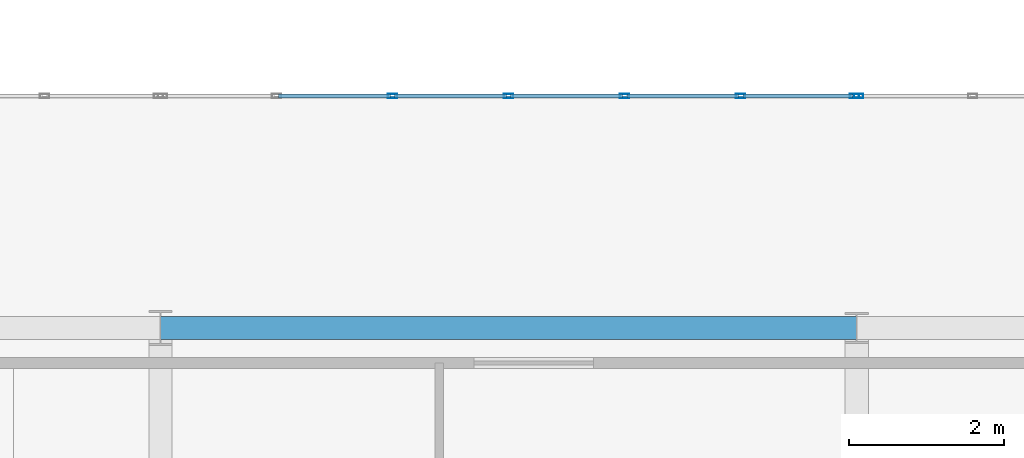
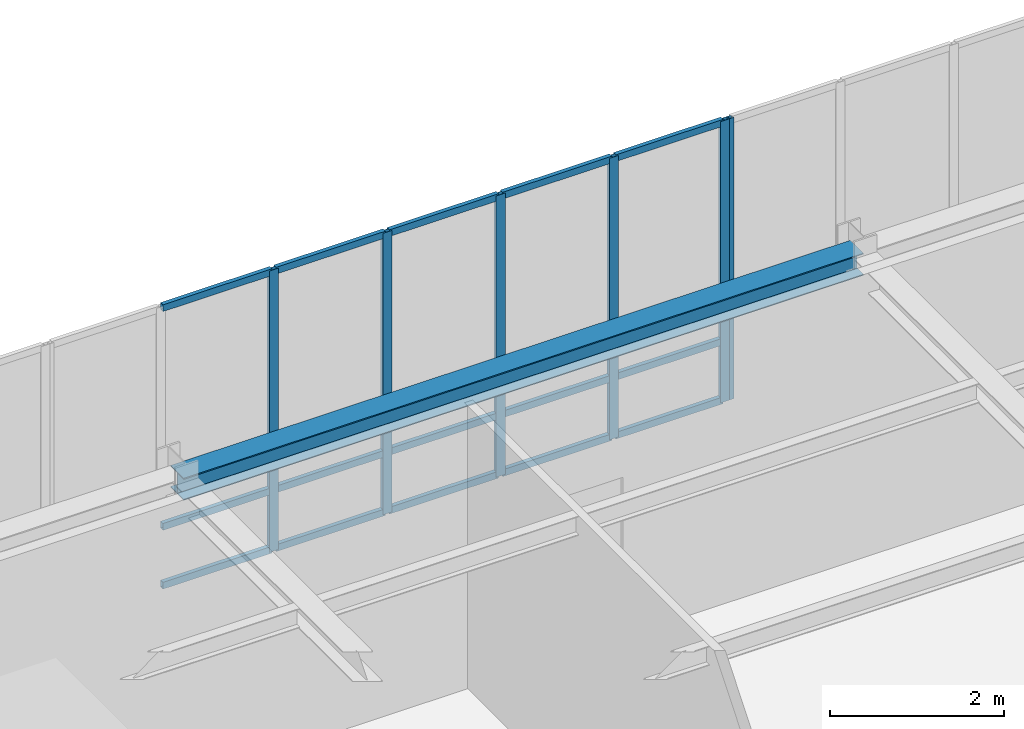
# One storey, part 25 of 130: 21 members, 1 beam, 2 elements without a shape of their own.
"""IFC4 building model written with IfcOpenShell, lengths in metres."""

import ifcopenshell
import ifcopenshell.guid

model = None  # the IFC model being written
_history = None  # IfcOwnerHistory: only IFC2X3 demands one
_inside = {}  # id of a spatial element -> (the spatial element, [elements in it])
_under = {}  # id of a project, library or spatial element -> (it, [spatial elements below it])
_declared = {}  # id of a project -> (the project, [libraries it declares])
_typed = {}  # id of a type object -> (the type object, [elements of that type])
_made_of = {}  # id of a material, layer set ... -> (it, [elements and type objects made of it])


def new_model(schema):
    """Start an empty IFC model of exactly this schema.

    Asked for "IFC4X3", IfcOpenShell would pick the latest addendum, in which some entities
    have other attributes; the version numbers below select the first issue.
    IFC2X3 requires an IfcOwnerHistory on every rooted entity: one is made here for all.
    """
    global model, _history
    if schema == "IFC4X3":
        model = ifcopenshell.file(schema_version=(4, 3, 0, 0))
    else:
        model = ifcopenshell.file(schema=schema)
    _inside.clear()
    _under.clear()
    _declared.clear()
    _typed.clear()
    _made_of.clear()
    _history = None
    if model.schema == "IFC2X3":
        org = make("IfcOrganization", Name="unknown")
        user = make(
            "IfcPersonAndOrganization",
            ThePerson=make("IfcPerson", FamilyName="unknown"),
            TheOrganization=org,
        )
        app = make(
            "IfcApplication",
            ApplicationDeveloper=org,
            Version="unknown",
            ApplicationFullName="unknown",
            ApplicationIdentifier="unknown",
        )
        _history = make(
            "IfcOwnerHistory",
            OwningUser=user,
            OwningApplication=app,
            ChangeAction="ADDED",
            CreationDate=0,
        )
    return model


def make(cls, **values):
    """One entity of the class cls with the attributes given. An attribute that is None is left unset."""
    return model.create_entity(
        cls, **{name: value for name, value in values.items() if value is not None}
    )


def rooted(cls, **values):
    """An entity with a GlobalId (a new one), such as an element, a storey or a relation."""
    return make(cls, GlobalId=ifcopenshell.guid.new(), OwnerHistory=_history, **values)


def si_unit(unit_type, name, prefix=None):
    """IfcSIUnit, for example si_unit("LENGTHUNIT", "METRE", prefix="MILLI")."""
    return make("IfcSIUnit", UnitType=unit_type, Prefix=prefix, Name=name)


def assignment(units):
    """IfcUnitAssignment: the units of a project."""
    return None if units is None else make("IfcUnitAssignment", Units=units)


def point(xyz):
    """IfcCartesianPoint."""
    return None if xyz is None else make("IfcCartesianPoint", Coordinates=xyz)


def direction(xyz):
    """IfcDirection."""
    return None if xyz is None else make("IfcDirection", DirectionRatios=xyz)


def frame(location, z_axis=None, x_axis=None):
    """IfcAxis2Placement3D, a coordinate frame: its origin and axes. An axis left out is left unset."""
    return make(
        "IfcAxis2Placement3D",
        Location=point(location),
        Axis=direction(z_axis),
        RefDirection=direction(x_axis),
    )


def frame_2d(location, x_axis=None):
    """IfcAxis2Placement2D, a coordinate frame in the plane: its origin and x axis."""
    return make(
        "IfcAxis2Placement2D", Location=point(location), RefDirection=direction(x_axis)
    )


def origin():
    """The frame at (0, 0, 0) with its axes left unset."""
    return frame((0.0, 0.0, 0.0))


def origin_2d():
    """The frame at (0, 0) in the plane with its x axis left unset."""
    return frame_2d((0.0, 0.0))


def place(relative_to, where):
    """IfcLocalPlacement: puts the frame where relative to a parent placement (None: the world)."""
    return make(
        "IfcLocalPlacement", PlacementRelTo=relative_to, RelativePlacement=where
    )


def context(
    kind, dimensions, precision=None, world=None, true_north=None, identifier=None
):
    """IfcGeometricRepresentationContext, for example the 3D "Model" context."""
    return make(
        "IfcGeometricRepresentationContext",
        ContextIdentifier=identifier,
        ContextType=kind,
        CoordinateSpaceDimension=dimensions,
        Precision=precision,
        WorldCoordinateSystem=world,
        TrueNorth=true_north,
    )


def subcontext(parent, identifier, kind, view, scale=None):
    """IfcGeometricRepresentationSubContext, for example "Body" below "Model"."""
    return make(
        "IfcGeometricRepresentationSubContext",
        ContextIdentifier=identifier,
        ContextType=kind,
        ParentContext=parent,
        TargetScale=scale,
        TargetView=view,
    )


def project(units=None, contexts=None):
    """IfcProject with its units and contexts."""
    return rooted(
        "IfcProject",
        Name="project",
        RepresentationContexts=contexts,
        UnitsInContext=assignment(units),
    )


def spatial(cls, under=None, at=None, **own):
    """A site, building, storey or space (cls), placed at a placement, below another one or the project."""
    s = rooted(cls, ObjectPlacement=at, **own)
    if under is not None:
        _under.setdefault(under.id(), (under, []))[1].append(s)
    return s


def profile(cls, at=None, kind="AREA", **sizes):
    """A parametric profile (cls). Its sizes go by their IFC names, for example OverallWidth=200.0."""
    return make(cls, ProfileType=kind, Position=at, **sizes)


def hollow_rectangle(**sizes):
    """IfcRectangleHollowProfileDef."""
    return profile("IfcRectangleHollowProfileDef", **sizes)


def i_section(**sizes):
    """IfcIShapeProfileDef."""
    return profile("IfcIShapeProfileDef", **sizes)


def extrude(swept, where, along, depth):
    """IfcExtrudedAreaSolid: the profile swept, set in the frame where, extruded along a direction by depth."""
    return make(
        "IfcExtrudedAreaSolid",
        SweptArea=swept,
        Position=where,
        ExtrudedDirection=direction(along),
        Depth=depth,
    )


def shape(context_of_items, identifier, shape_type, items):
    """IfcShapeRepresentation: the items that make up one representation, for example the "Body"."""
    return make(
        "IfcShapeRepresentation",
        ContextOfItems=context_of_items,
        RepresentationIdentifier=identifier,
        RepresentationType=shape_type,
        Items=items,
    )


def material(Name=None, Category=None):
    """IfcMaterial."""
    return make("IfcMaterial", Name=Name, Category=Category)


def material_profile(
    of_material, cross_section, Name=None, Category=None, Priority=None
):
    """IfcMaterialProfile: a cross section and its material."""
    return make(
        "IfcMaterialProfile",
        Name=Name,
        Material=of_material,
        Profile=cross_section,
        Priority=Priority,
        Category=Category,
    )


def profile_set(profiles, Name=None, composite=None):
    """IfcMaterialProfileSet."""
    return make(
        "IfcMaterialProfileSet",
        Name=Name,
        MaterialProfiles=profiles,
        CompositeProfile=composite,
    )


def made_of(thing, what):
    """Note that an element or type object is made of a material, layer set ...; save() writes the relation."""
    if what is not None:
        _made_of.setdefault(what.id(), (what, []))[1].append(thing)
    return thing


def type_object(cls, material=None, **own):
    """A type object (cls), such as IfcWallType, which elements share."""
    return made_of(rooted(cls, **own), material)


def element(
    cls,
    number,
    at=None,
    inside=None,
    cuts=None,
    type_object=None,
    material=None,
    context=None,
    identifier="Body",
    shape_type=None,
    held_by="IfcProductDefinitionShape",
    body=None,
    shapes=None,
    **own,
):
    """One element of the class cls, such as IfcWall. Its Tag is "e" and its number.

    at: its placement. inside: the storey or other place that contains it. cuts: it is an
    opening in that element (IfcRelVoidsElement). A single representation is given by context,
    identifier, shape_type and body (its items); several are given by shapes. held_by: the class
    of the entity that holds the representations. save() writes the other relations.
    """
    e = rooted(cls, Tag="e%d" % number, ObjectPlacement=at, **own)
    if body is not None:
        shapes = [shape(context, identifier, shape_type, body)]
    if shapes is not None:
        e.Representation = make(held_by, Representations=shapes)
    if inside is not None:
        _inside.setdefault(inside.id(), (inside, []))[1].append(e)
    if cuts is not None:
        rooted(
            "IfcRelVoidsElement", RelatingBuildingElement=cuts, RelatedOpeningElement=e
        )
    if type_object is not None:
        _typed.setdefault(type_object.id(), (type_object, []))[1].append(e)
    return made_of(e, material)


def aggregate(whole, parts):
    """IfcRelAggregates: a whole, such as a stair, and the parts it consists of."""
    return rooted("IfcRelAggregates", RelatingObject=whole, RelatedObjects=parts)


def save(model, path):
    """Write the relations noted so far, then the file.

    IfcRelAggregates (storeys below a building ...), IfcRelContainedInSpatialStructure (elements
    in a storey), IfcRelDefinesByType, IfcRelAssociatesMaterial and IfcRelDeclares: one each for
    every whole, place, type object, material and project.
    """
    for whole, parts in _under.values():
        aggregate(whole, parts)
    for where, things in _inside.values():
        rooted(
            "IfcRelContainedInSpatialStructure",
            RelatedElements=things,
            RelatingStructure=where,
        )
    for kind, things in _typed.values():
        rooted("IfcRelDefinesByType", RelatedObjects=things, RelatingType=kind)
    for what, things in _made_of.values():
        rooted("IfcRelAssociatesMaterial", RelatedObjects=things, RelatingMaterial=what)
    for by, libraries in _declared.values():
        rooted("IfcRelDeclares", RelatingContext=by, RelatedDefinitions=libraries)
    model.write(path)


model = new_model("IFC4")

# Units and contexts
model_context = context("Model", 3, precision=1e-05, world=origin(), true_north=direction((0.0, 1.0)))
body_context = subcontext(model_context, "Body", "Model", "MODEL_VIEW")
ifc_project = project(units=[si_unit("LENGTHUNIT", "METRE"), si_unit("AREAUNIT", "SQUARE_METRE"), si_unit("VOLUMEUNIT", "CUBIC_METRE"), si_unit("PLANEANGLEUNIT", "RADIAN"), si_unit("MASSUNIT", "GRAM", prefix="KILO")], contexts=[model_context])

# Site, building, storey
site_placement = place(None, origin())
site = spatial("IfcSite", under=ifc_project, at=site_placement, CompositionType="ELEMENT")
building_placement = place(site_placement, origin())
building = spatial("IfcBuilding", under=site, at=building_placement, Name="Lykobir Media Centre", CompositionType="ELEMENT")
storey_placement = place(building_placement, frame((0.0, 0.0, 19.199951171875)))
storey = spatial("IfcBuildingStorey", under=building, at=storey_placement, Name="L04", CompositionType="ELEMENT", Elevation=19.199951171875)

# Curtain wall, members
ifc_material_1 = material(Name="Anodized Aluminium AW-6060", Category="aluminium")
curtain_wall_type = type_object("IfcCurtainWallType", Name="CW-COURT-B", PredefinedType="NOTDEFINED", material=ifc_material_1)
curtain_wall_1_placement = place(storey_placement, origin())
curtain_wall_1 = element("IfcCurtainWall", 1, at=curtain_wall_1_placement, inside=storey, type_object=curtain_wall_type, Name="Curtain wall CW2-L04-0152", PredefinedType="NOTDEFINED")
ifc_material_profile_1 = material_profile(ifc_material_1, hollow_rectangle(XDim=0.054931640625, YDim=0.1201171875, WallThickness=0.003173828125, at=origin_2d()), Name="ALU MULLION 55x120")
ifc_profile_set_1 = profile_set([ifc_material_profile_1], Name="Anodized Aluminium AW-6060")
member_type_1 = type_object("IfcMemberType", Name="CWM-120", PredefinedType="MULLION", material=ifc_profile_set_1)
member_1_placement = place(storey_placement, frame((57.0, 21.0, 0.0), z_axis=(0.0, 0.0, 1.0), x_axis=(0.0, 1.0, 0.0)))
member_1 = element("IfcMember", 2, at=member_1_placement, type_object=member_type_1, Name="CW2-L04-0152 mullion 3", PredefinedType="MULLION", context=body_context, shape_type="SweptSolid", body=[
    extrude(hollow_rectangle(XDim=0.054931640625, YDim=0.1201171875, WallThickness=0.003173828125, at=origin_2d()), origin(), (0.0, 0.0, 1.0), 3.93994140625),
])
member_2_placement = place(storey_placement, frame((58.5, 21.0, 0.0), z_axis=(0.0, 0.0, 1.0), x_axis=(0.0, 1.0, 0.0)))
member_2 = element("IfcMember", 3, at=member_2_placement, type_object=member_type_1, Name="CW2-L04-0152 mullion 4", PredefinedType="MULLION", context=body_context, shape_type="SweptSolid", body=[
    extrude(hollow_rectangle(XDim=0.054931640625, YDim=0.1201171875, WallThickness=0.003173828125, at=origin_2d()), origin(), (0.0, 0.0, 1.0), 3.93994140625),
])
member_3_placement = place(storey_placement, frame((60.0, 21.0, 0.0), z_axis=(0.0, 0.0, 1.0), x_axis=(0.0, 1.0, 0.0)))
member_3 = element("IfcMember", 4, at=member_3_placement, type_object=member_type_1, Name="CW2-L04-0152 mullion 5", PredefinedType="MULLION", context=body_context, shape_type="SweptSolid", body=[
    extrude(hollow_rectangle(XDim=0.054931640625, YDim=0.1201171875, WallThickness=0.003173828125, at=origin_2d()), origin(), (0.0, 0.0, 1.0), 3.93994140625),
])
member_4_placement = place(storey_placement, frame((61.5, 21.0, 0.0), z_axis=(0.0, 0.0, 1.0), x_axis=(0.0, 1.0, 0.0)))
member_4 = element("IfcMember", 5, at=member_4_placement, type_object=member_type_1, Name="CW2-L04-0152 mullion 6", PredefinedType="MULLION", context=body_context, shape_type="SweptSolid", body=[
    extrude(hollow_rectangle(XDim=0.054931640625, YDim=0.1201171875, WallThickness=0.003173828125, at=origin_2d()), origin(), (0.0, 0.0, 1.0), 3.93994140625),
])
member_5_placement = place(storey_placement, frame((62.972412109375, 21.0, 0.0), z_axis=(0.0, 0.0, 1.0), x_axis=(0.0, 1.0, 0.0)))
member_5 = element("IfcMember", 6, at=member_5_placement, type_object=member_type_1, Name="CW2-L04-0152 mullion 7", PredefinedType="MULLION", context=body_context, shape_type="SweptSolid", body=[
    extrude(hollow_rectangle(XDim=0.054931640625, YDim=0.1201171875, WallThickness=0.003173828125, at=origin_2d()), origin(), (0.0, 0.0, 1.0), 3.93994140625),
])

# Curtain wall, member
curtain_wall_2_placement = place(storey_placement, origin())
curtain_wall_2 = element("IfcCurtainWall", 7, at=curtain_wall_2_placement, inside=storey, type_object=curtain_wall_type, Name="Curtain wall CW2-L04-0153", PredefinedType="NOTDEFINED")
member_6_placement = place(storey_placement, frame((63.027587890625, 21.0, 0.0), z_axis=(0.0, 0.0, 1.0), x_axis=(0.0, 1.0, 0.0)))
member_6 = element("IfcMember", 8, at=member_6_placement, type_object=member_type_1, Name="CW2-L04-0153 mullion 1", PredefinedType="MULLION", context=body_context, shape_type="SweptSolid", body=[
    extrude(hollow_rectangle(XDim=0.054931640625, YDim=0.1201171875, WallThickness=0.003173828125, at=origin_2d()), origin(), (0.0, 0.0, 1.0), 3.93994140625),
])
aggregate(curtain_wall_2, [member_6])

# Member
ifc_material_profile_2 = material_profile(ifc_material_1, hollow_rectangle(XDim=0.054931640625, YDim=0.094970703125, WallThickness=0.0029296875, at=origin_2d()), Name="ALU TRANSOM 55x95")
ifc_profile_set_2 = profile_set([ifc_material_profile_2], Name="Anodized Aluminium AW-6060")
member_type_2 = type_object("IfcMemberType", Name="CWT-095", PredefinedType="USERDEFINED", material=ifc_profile_set_2)
member_7_placement = place(storey_placement, frame((55.527587890625, 21.0, 0.027587890625), z_axis=(1.0, 0.0, 0.0), x_axis=(0.0, 1.0, 0.0)))
member_7 = element("IfcMember", 9, at=member_7_placement, type_object=member_type_2, Name="CW2-L04-0152 transom 2.1", ObjectType="TRANSOM", PredefinedType="USERDEFINED", context=body_context, shape_type="SweptSolid", body=[
    extrude(hollow_rectangle(XDim=0.054931640625, YDim=0.094970703125, WallThickness=0.0029296875, at=origin_2d()), origin(), (0.0, 0.0, 1.0), 1.44482421875),
])

member_8_placement = place(storey_placement, frame((55.527587890625, 21.0, 0.85009765625), z_axis=(1.0, 0.0, 0.0), x_axis=(0.0, 1.0, 0.0)))
member_8 = element("IfcMember", 10, at=member_8_placement, type_object=member_type_2, Name="CW2-L04-0152 transom 2.2", ObjectType="TRANSOM", PredefinedType="USERDEFINED", context=body_context, shape_type="SweptSolid", body=[
    extrude(hollow_rectangle(XDim=0.054931640625, YDim=0.094970703125, WallThickness=0.0029296875, at=origin_2d()), origin(), (0.0, 0.0, 1.0), 1.44482421875),
])

member_9_placement = place(storey_placement, frame((55.527587890625, 21.0, 3.91259765625), z_axis=(1.0, 0.0, 0.0), x_axis=(0.0, 1.0, 0.0)))
member_9 = element("IfcMember", 11, at=member_9_placement, type_object=member_type_2, Name="CW2-L04-0152 transom 2.3", ObjectType="TRANSOM", PredefinedType="USERDEFINED", context=body_context, shape_type="SweptSolid", body=[
    extrude(hollow_rectangle(XDim=0.054931640625, YDim=0.094970703125, WallThickness=0.0029296875, at=origin_2d()), origin(), (0.0, 0.0, 1.0), 1.44482421875),
])

member_10_placement = place(storey_placement, frame((57.027587890625, 21.0, 0.027587890625), z_axis=(1.0, 0.0, 0.0), x_axis=(0.0, 1.0, 0.0)))
member_10 = element("IfcMember", 12, at=member_10_placement, type_object=member_type_2, Name="CW2-L04-0152 transom 3.1", ObjectType="TRANSOM", PredefinedType="USERDEFINED", context=body_context, shape_type="SweptSolid", body=[
    extrude(hollow_rectangle(XDim=0.054931640625, YDim=0.094970703125, WallThickness=0.0029296875, at=origin_2d()), origin(), (0.0, 0.0, 1.0), 1.44482421875),
])

member_11_placement = place(storey_placement, frame((57.027587890625, 21.0, 0.85009765625), z_axis=(1.0, 0.0, 0.0), x_axis=(0.0, 1.0, 0.0)))
member_11 = element("IfcMember", 13, at=member_11_placement, type_object=member_type_2, Name="CW2-L04-0152 transom 3.2", ObjectType="TRANSOM", PredefinedType="USERDEFINED", context=body_context, shape_type="SweptSolid", body=[
    extrude(hollow_rectangle(XDim=0.054931640625, YDim=0.094970703125, WallThickness=0.0029296875, at=origin_2d()), origin(), (0.0, 0.0, 1.0), 1.44482421875),
])

member_12_placement = place(storey_placement, frame((57.027587890625, 21.0, 3.91259765625), z_axis=(1.0, 0.0, 0.0), x_axis=(0.0, 1.0, 0.0)))
member_12 = element("IfcMember", 14, at=member_12_placement, type_object=member_type_2, Name="CW2-L04-0152 transom 3.3", ObjectType="TRANSOM", PredefinedType="USERDEFINED", context=body_context, shape_type="SweptSolid", body=[
    extrude(hollow_rectangle(XDim=0.054931640625, YDim=0.094970703125, WallThickness=0.0029296875, at=origin_2d()), origin(), (0.0, 0.0, 1.0), 1.44482421875),
])

member_13_placement = place(storey_placement, frame((58.527587890625, 21.0, 0.027587890625), z_axis=(1.0, 0.0, 0.0), x_axis=(0.0, 1.0, 0.0)))
member_13 = element("IfcMember", 15, at=member_13_placement, type_object=member_type_2, Name="CW2-L04-0152 transom 4.1", ObjectType="TRANSOM", PredefinedType="USERDEFINED", context=body_context, shape_type="SweptSolid", body=[
    extrude(hollow_rectangle(XDim=0.054931640625, YDim=0.094970703125, WallThickness=0.0029296875, at=origin_2d()), origin(), (0.0, 0.0, 1.0), 1.44482421875),
])

member_14_placement = place(storey_placement, frame((58.527587890625, 21.0, 0.85009765625), z_axis=(1.0, 0.0, 0.0), x_axis=(0.0, 1.0, 0.0)))
member_14 = element("IfcMember", 16, at=member_14_placement, type_object=member_type_2, Name="CW2-L04-0152 transom 4.2", ObjectType="TRANSOM", PredefinedType="USERDEFINED", context=body_context, shape_type="SweptSolid", body=[
    extrude(hollow_rectangle(XDim=0.054931640625, YDim=0.094970703125, WallThickness=0.0029296875, at=origin_2d()), origin(), (0.0, 0.0, 1.0), 1.44482421875),
])

member_15_placement = place(storey_placement, frame((58.527587890625, 21.0, 3.91259765625), z_axis=(1.0, 0.0, 0.0), x_axis=(0.0, 1.0, 0.0)))
member_15 = element("IfcMember", 17, at=member_15_placement, type_object=member_type_2, Name="CW2-L04-0152 transom 4.3", ObjectType="TRANSOM", PredefinedType="USERDEFINED", context=body_context, shape_type="SweptSolid", body=[
    extrude(hollow_rectangle(XDim=0.054931640625, YDim=0.094970703125, WallThickness=0.0029296875, at=origin_2d()), origin(), (0.0, 0.0, 1.0), 1.44482421875),
])

member_16_placement = place(storey_placement, frame((60.027587890625, 21.0, 0.027587890625), z_axis=(1.0, 0.0, 0.0), x_axis=(0.0, 1.0, 0.0)))
member_16 = element("IfcMember", 18, at=member_16_placement, type_object=member_type_2, Name="CW2-L04-0152 transom 5.1", ObjectType="TRANSOM", PredefinedType="USERDEFINED", context=body_context, shape_type="SweptSolid", body=[
    extrude(hollow_rectangle(XDim=0.054931640625, YDim=0.094970703125, WallThickness=0.0029296875, at=origin_2d()), origin(), (0.0, 0.0, 1.0), 1.44482421875),
])

member_17_placement = place(storey_placement, frame((60.027587890625, 21.0, 0.85009765625), z_axis=(1.0, 0.0, 0.0), x_axis=(0.0, 1.0, 0.0)))
member_17 = element("IfcMember", 19, at=member_17_placement, type_object=member_type_2, Name="CW2-L04-0152 transom 5.2", ObjectType="TRANSOM", PredefinedType="USERDEFINED", context=body_context, shape_type="SweptSolid", body=[
    extrude(hollow_rectangle(XDim=0.054931640625, YDim=0.094970703125, WallThickness=0.0029296875, at=origin_2d()), origin(), (0.0, 0.0, 1.0), 1.44482421875),
])

member_18_placement = place(storey_placement, frame((60.027587890625, 21.0, 3.91259765625), z_axis=(1.0, 0.0, 0.0), x_axis=(0.0, 1.0, 0.0)))
member_18 = element("IfcMember", 20, at=member_18_placement, type_object=member_type_2, Name="CW2-L04-0152 transom 5.3", ObjectType="TRANSOM", PredefinedType="USERDEFINED", context=body_context, shape_type="SweptSolid", body=[
    extrude(hollow_rectangle(XDim=0.054931640625, YDim=0.094970703125, WallThickness=0.0029296875, at=origin_2d()), origin(), (0.0, 0.0, 1.0), 1.44482421875),
])

member_19_placement = place(storey_placement, frame((61.527587890625, 21.0, 0.027587890625), z_axis=(1.0, 0.0, 0.0), x_axis=(0.0, 1.0, 0.0)))
member_19 = element("IfcMember", 21, at=member_19_placement, type_object=member_type_2, Name="CW2-L04-0152 transom 6.1", ObjectType="TRANSOM", PredefinedType="USERDEFINED", context=body_context, shape_type="SweptSolid", body=[
    extrude(hollow_rectangle(XDim=0.054931640625, YDim=0.094970703125, WallThickness=0.0029296875, at=origin_2d()), origin(), (0.0, 0.0, 1.0), 1.41748046875),
])

member_20_placement = place(storey_placement, frame((61.527587890625, 21.0, 0.85009765625), z_axis=(1.0, 0.0, 0.0), x_axis=(0.0, 1.0, 0.0)))
member_20 = element("IfcMember", 22, at=member_20_placement, type_object=member_type_2, Name="CW2-L04-0152 transom 6.2", ObjectType="TRANSOM", PredefinedType="USERDEFINED", context=body_context, shape_type="SweptSolid", body=[
    extrude(hollow_rectangle(XDim=0.054931640625, YDim=0.094970703125, WallThickness=0.0029296875, at=origin_2d()), origin(), (0.0, 0.0, 1.0), 1.41748046875),
])

member_21_placement = place(storey_placement, frame((61.527587890625, 21.0, 3.91259765625), z_axis=(1.0, 0.0, 0.0), x_axis=(0.0, 1.0, 0.0)))
member_21 = element("IfcMember", 23, at=member_21_placement, type_object=member_type_2, Name="CW2-L04-0152 transom 6.3", ObjectType="TRANSOM", PredefinedType="USERDEFINED", context=body_context, shape_type="SweptSolid", body=[
    extrude(hollow_rectangle(XDim=0.054931640625, YDim=0.094970703125, WallThickness=0.0029296875, at=origin_2d()), origin(), (0.0, 0.0, 1.0), 1.41748046875),
])

aggregate(curtain_wall_1, [member_1, member_2, member_3, member_4, member_5, member_7, member_8, member_9, member_10, member_11, member_12, member_13, member_14, member_15, member_16, member_17, member_18, member_19, member_20, member_21])

# Beam
ifc_material_2 = material(Name="Steel S355", Category="steel")
ifc_material_profile_3 = material_profile(ifc_material_2, i_section(OverallWidth=0.300048828125, OverallDepth=0.31005859375, WebThickness=0.009033203125, FlangeThickness=0.015380859375, at=origin_2d()), Name="HEA 320")
ifc_profile_set_3 = profile_set([ifc_material_profile_3], Name="Steel S355")
beam_type = type_object("IfcBeamType", Name="SP-HEA320", PredefinedType="SPANDREL", material=ifc_profile_set_3)
beam_placement = place(storey_placement, frame((54.0, 18.0, 3.804931640625), z_axis=(1.0, 0.0, 0.0), x_axis=(0.0, 1.0, 0.0)))
element("IfcBeam", 24, at=beam_placement, inside=storey, type_object=beam_type, Name="Beam BM-L04-0540-0180-0630-0180-2300", PredefinedType="SPANDREL", context=body_context, shape_type="SweptSolid", body=[
    extrude(i_section(OverallWidth=0.300048828125, OverallDepth=0.31005859375, WebThickness=0.009033203125, FlangeThickness=0.015380859375, at=origin_2d()), origin(), (0.0, 0.0, 1.0), 9.0),
])

save(model, "model.ifc")
